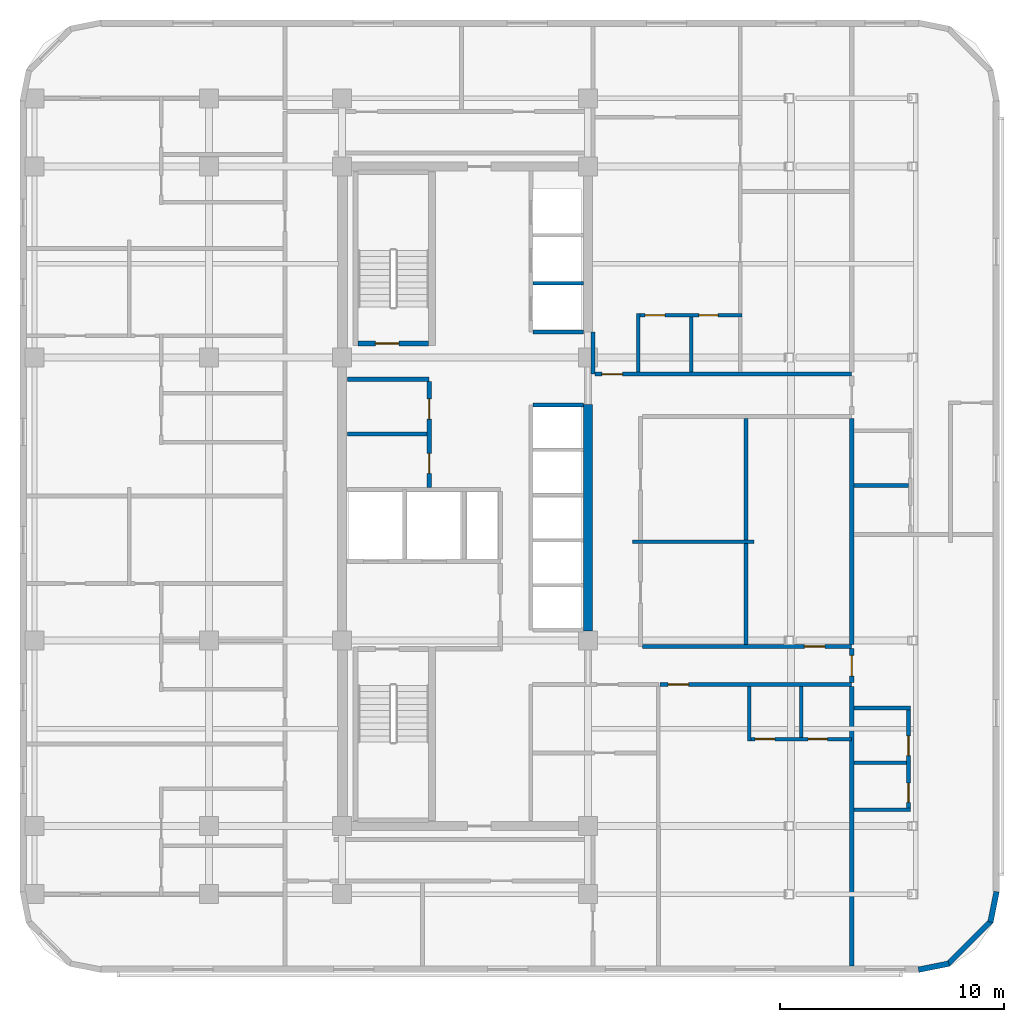
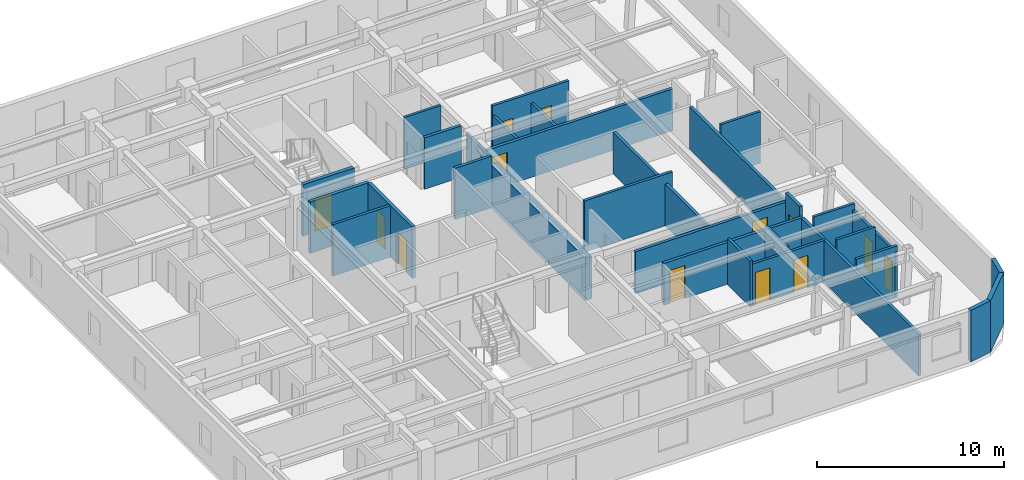
# One storey, part 5 of 11: 31 walls, 13 doors, 13 openings.
"""IFC4 building model written with IfcOpenShell, lengths in metres."""

from ifc_helpers import new_model, si_unit, direction, frame, frame_2d, origin, place, context, subcontext, project, spatial, rectangle, extrude, material, layer, layer_set, type_object, element, fill, save


model = new_model("IFC4")

# Units and contexts
model_context = context("Model", 3, precision=1e-05, world=origin(), true_north=direction((0.0, 1.0)))
body_context = subcontext(model_context, "Body", "Model", "MODEL_VIEW")
ifc_project = project(units=[si_unit("LENGTHUNIT", "METRE"), si_unit("AREAUNIT", "SQUARE_METRE"), si_unit("VOLUMEUNIT", "CUBIC_METRE"), si_unit("PLANEANGLEUNIT", "RADIAN"), si_unit("MASSUNIT", "GRAM", prefix="KILO")], contexts=[model_context])

# Site, building, storey
site_placement = place(None, origin())
site = spatial("IfcSite", under=ifc_project, at=site_placement, CompositionType="ELEMENT")
building_placement = place(site_placement, origin())
building = spatial("IfcBuilding", under=site, at=building_placement, Name="Ochreholt Gables", CompositionType="ELEMENT")
storey_placement = place(building_placement, frame((0.0, 0.0, 121.199951171875)))
storey = spatial("IfcBuildingStorey", under=building, at=storey_placement, Name="L31", CompositionType="ELEMENT", Elevation=121.199951171875)

# Walls
ifc_material_1 = material(Name="Concrete 60 MPa", Category="concrete")
ifc_layer_1 = layer(ifc_material_1, 0.39990234375, Name="Concrete 60 MPa")
ifc_layer_set_1 = layer_set([ifc_layer_1], Name="Concrete 60 MPa")
wall_type_1 = type_object("IfcWallType", Name="WALL-CSW-400", PredefinedType="SHEAR", material=ifc_layer_set_1)
wall_1_placement = place(storey_placement, frame((35.199951171875, 17.97509765625, 0.0), z_axis=(0.0, 0.0, 1.0), x_axis=(0.0, 1.0, 0.0)))
element("IfcWall", 1, at=wall_1_placement, inside=storey, type_object=wall_type_1, Name="L31 Core Central-East Shear Wall", PredefinedType="SHEAR", context=body_context, shape_type="SweptSolid", body=[
    extrude(rectangle(XDim=10.125, YDim=0.39990234375, at=frame_2d((5.0625, 0.0))), origin(), (0.0, 0.0, 1.0), 2.7490234375),
])
ifc_material_2 = material(Name="Precast concrete 40 MPa", Category="concrete")
ifc_layer_2 = layer(ifc_material_2, 0.25, Name="Precast concrete 40 MPa")
ifc_layer_set_2 = layer_set([ifc_layer_2], Name="Precast concrete 40 MPa")
wall_type_2 = type_object("IfcWallType", Name="WALL-EXT-CNR", PredefinedType="SOLIDWALL", material=ifc_layer_set_2)
wall_2_placement = place(storey_placement, frame((49.9833984375, 2.82421875, 0.0), z_axis=(0.0, 0.0, 1.0), x_axis=(0.980809899341, 0.19496651342, 0.0)))
element("IfcWall", 2, at=wall_2_placement, inside=storey, type_object=wall_type_2, Name="L31 Rounded Corner Wall SE-1", PredefinedType="SOLIDWALL", context=body_context, shape_type="SweptSolid", body=[
    extrude(rectangle(XDim=1.388671875, YDim=0.25, at=frame_2d((0.6943359375, 0.0))), origin(), (0.0, 0.0, 1.0), 3.360107421875),
])
wall_3_placement = place(storey_placement, frame((51.294921875, 3.068115234375, 0.0), z_axis=(0.0, 0.0, 1.0), x_axis=(0.707151344399, 0.707062215165, 0.0)))
element("IfcWall", 3, at=wall_3_placement, inside=storey, type_object=wall_type_2, Name="L31 Rounded Corner Wall SE-2", PredefinedType="SOLIDWALL", context=body_context, shape_type="SweptSolid", body=[
    extrude(rectangle(XDim=2.7392578125, YDim=0.25, at=frame_2d((1.36962890625, 0.0))), origin(), (0.0, 0.0, 1.0), 3.360107421875),
])
wall_4_placement = place(storey_placement, frame((53.205078125, 4.95458984375, 0.0), z_axis=(0.0, 0.0, 1.0), x_axis=(0.195000137217, 0.980803214965, 0.0)))
element("IfcWall", 4, at=wall_4_placement, inside=storey, type_object=wall_type_2, Name="L31 Rounded Corner Wall SE-3", PredefinedType="SOLIDWALL", context=body_context, shape_type="SweptSolid", body=[
    extrude(rectangle(XDim=1.388427734375, YDim=0.25, at=frame_2d((0.6943359375, 0.0))), origin(), (0.0, 0.0, 1.0), 3.360107421875),
])
ifc_material_3 = material(Name="Concrete 40 MPa", Category="concrete")
ifc_layer_3 = layer(ifc_material_3, 0.199951171875, Name="Concrete 40 MPa")
ifc_layer_set_3 = layer_set([ifc_layer_3], Name="Concrete 40 MPa")
wall_type_3 = type_object("IfcWallType", Name="WALL-INT-CF200", PredefinedType="STANDARD", material=ifc_layer_set_3)
wall_5_placement = place(storey_placement, frame((24.449951171875, 29.239990234375, 0.0), z_axis=(0.0, 0.0, 1.0), x_axis=(1.0, 0.0, 0.0)))
element("IfcWall", 5, at=wall_5_placement, inside=storey, type_object=wall_type_3, Name="L31 Interior Wall WI-SRVN-L31", PredefinedType="STANDARD", context=body_context, shape_type="SweptSolid", body=[
    extrude(rectangle(XDim=3.650146484375, YDim=0.199951171875, at=frame_2d((1.8251953125, 0.0))), origin(), (0.0, 0.0, 1.0), 3.360107421875),
])

# Wall, openings, doors
wall_6_placement = place(storey_placement, frame((28.10009765625, 24.389892578125, 0.0), z_axis=(0.0, 0.0, 1.0), x_axis=(0.0, 1.0, 0.0)))
wall_6 = element("IfcWall", 6, at=wall_6_placement, inside=storey, type_object=wall_type_3, Name="L31 Interior Wall WI-SRVE-L31", PredefinedType="STANDARD", context=body_context, shape_type="SweptSolid", body=[
    extrude(rectangle(XDim=4.75, YDim=0.199951171875, at=frame_2d((2.375, 0.0))), origin(), (0.0, 0.0, 1.0), 3.360107421875),
])
opening_1_placement = place(wall_6_placement, frame((0.6298828125, 0.0, 0.0)))
opening_1 = element("IfcOpeningElement", 7, at=opening_1_placement, cuts=wall_6, Name="Opening D-SV1", PredefinedType="OPENING", context=body_context, shape_type="SweptSolid", body=[
    extrude(rectangle(XDim=0.89990234375, YDim=2.10009765625, at=frame_2d((0.449951171875, 1.050048828125))), frame((0.0, 0.10986328125, 0.0), z_axis=(0.0, -1.0, 0.0), x_axis=(1.0, 0.0, 0.0)), (0.0, 0.0, 1.0), 0.219970703125),
])
opening_2_placement = place(wall_6_placement, frame((3.06005859375, 0.0, 0.0)))
opening_2 = element("IfcOpeningElement", 8, at=opening_2_placement, cuts=wall_6, Name="Opening D-SV1", PredefinedType="OPENING", context=body_context, shape_type="SweptSolid", body=[
    extrude(rectangle(XDim=0.89990234375, YDim=2.10009765625, at=frame_2d((0.449951171875, 1.050048828125))), frame((0.0, 0.10986328125, 0.0), z_axis=(0.0, -1.0, 0.0), x_axis=(1.0, 0.0, 0.0)), (0.0, 0.0, 1.0), 0.219970703125),
])
ifc_material_4 = material(Name="Hollow Metal Steel", Category="steel")
door_type_1 = type_object("IfcDoorType", Name="DR-INT-SRV900", OperationType="NOTDEFINED", PredefinedType="DOOR", material=ifc_material_4)
door_1_placement = place(opening_1_placement, origin())
door_1 = element("IfcDoor", 9, at=door_1_placement, inside=storey, type_object=door_type_1, Name="L31 Door D-SRV1-L31", OperationType="SINGLE_SWING_LEFT", OverallHeight=2.10009765625, OverallWidth=0.89990234375, PredefinedType="DOOR", context=body_context, shape_type="SweptSolid", body=[
    extrude(rectangle(XDim=0.89990234375, YDim=2.10009765625, at=frame_2d((0.449951171875, 1.050048828125))), frame((0.0, 0.02490234375, 0.0), z_axis=(0.0, -1.0, 0.0), x_axis=(1.0, 0.0, 0.0)), (0.0, 0.0, 1.0), 0.050048828125),
])
fill(opening_1, door_1)
door_2_placement = place(opening_2_placement, origin())
door_2 = element("IfcDoor", 10, at=door_2_placement, inside=storey, type_object=door_type_1, Name="L31 Door D-SRV2-L31", OperationType="SINGLE_SWING_RIGHT", OverallHeight=2.10009765625, OverallWidth=0.89990234375, PredefinedType="DOOR", context=body_context, shape_type="SweptSolid", body=[
    extrude(rectangle(XDim=0.89990234375, YDim=2.10009765625, at=frame_2d((0.449951171875, 1.050048828125))), frame((0.0, 0.02490234375, 0.0), z_axis=(0.0, -1.0, 0.0), x_axis=(1.0, 0.0, 0.0)), (0.0, 0.0, 1.0), 0.050048828125),
])
fill(opening_2, door_2)

# Wall, opening, door
ifc_material_5 = material(Name="Fire-Rated Gypsum Acoustic Partition", Category="gypsum")
ifc_layer_4 = layer(ifc_material_5, 0.179931640625, Name="Fire-Rated Gypsum Acoustic Partition")
ifc_layer_set_4 = layer_set([ifc_layer_4], Name="Fire-Rated Gypsum Acoustic Partition")
wall_type_4 = type_object("IfcWallType", Name="WALL-INT-CR180", PredefinedType="STANDARD", material=ifc_layer_set_4)
wall_7_placement = place(storey_placement, frame((38.4326171875, 15.580078125, 0.0), z_axis=(0.0, 0.0, 1.0), x_axis=(1.0, 0.0, 0.0)))
wall_7 = element("IfcWall", 11, at=wall_7_placement, inside=storey, type_object=wall_type_4, Name="L31 Interior Wall WI-C2SS1-L31", PredefinedType="STANDARD", context=body_context, shape_type="SweptSolid", body=[
    extrude(rectangle(XDim=8.5673828125, YDim=0.179931640625, at=frame_2d((4.28369140625, 0.0))), origin(), (0.0, 0.0, 1.0), 2.73095703125),
])
opening_3_placement = place(wall_7_placement, frame((0.357421875, 0.0, 0.0)))
opening_3 = element("IfcOpeningElement", 12, at=opening_3_placement, cuts=wall_7, Name="Opening D-UN1", PredefinedType="OPENING", context=body_context, shape_type="SweptSolid", body=[
    extrude(rectangle(XDim=0.919921875, YDim=2.14990234375, at=frame_2d((0.4599609375, 1.074951171875))), frame((0.0, 0.099853515625, 0.0), z_axis=(0.0, -1.0, 0.0), x_axis=(1.0, 0.0, 0.0)), (0.0, 0.0, 1.0), 0.199951171875),
])
ifc_material_6 = material(Name="Engineered Oak Timber", Category="wood")
door_type_2 = type_object("IfcDoorType", Name="DR-INT-UNT920", OperationType="NOTDEFINED", PredefinedType="DOOR", material=ifc_material_6)
door_3_placement = place(opening_3_placement, origin())
door_3 = element("IfcDoor", 13, at=door_3_placement, inside=storey, type_object=door_type_2, Name="L31 Door D-U-L31S1-ENT", OperationType="SINGLE_SWING_RIGHT", OverallHeight=2.14990234375, OverallWidth=0.919921875, PredefinedType="DOOR", context=body_context, shape_type="SweptSolid", body=[
    extrude(rectangle(XDim=0.919921875, YDim=2.14990234375, at=frame_2d((0.4599609375, 1.074951171875))), frame((0.0, 0.02490234375, 0.0), z_axis=(0.0, -1.0, 0.0), x_axis=(1.0, 0.0, 0.0)), (0.0, 0.0, 1.0), 0.050048828125),
])
fill(opening_3, door_3)

wall_8_placement = place(storey_placement, frame((37.639892578125, 17.280029296875, 0.0), z_axis=(0.0, 0.0, 1.0), x_axis=(1.0, 0.0, 0.0)))
wall_8 = element("IfcWall", 14, at=wall_8_placement, inside=storey, type_object=wall_type_4, Name="L31 Interior Wall WI-C2SS2-L31", PredefinedType="STANDARD", context=body_context, shape_type="SweptSolid", body=[
    extrude(rectangle(XDim=9.360107421875, YDim=0.179931640625, at=frame_2d((4.68017578125, 0.0))), origin(), (0.0, 0.0, 1.0), 2.73095703125),
])
opening_4_placement = place(wall_8_placement, frame((7.237548828125, 0.0, 0.0)))
opening_4 = element("IfcOpeningElement", 15, at=opening_4_placement, cuts=wall_8, Name="Opening D-UN1", PredefinedType="OPENING", context=body_context, shape_type="SweptSolid", body=[
    extrude(rectangle(XDim=0.919921875, YDim=2.14990234375, at=frame_2d((0.4599609375, 1.074951171875))), frame((0.0, 0.099853515625, 0.0), z_axis=(0.0, -1.0, 0.0), x_axis=(1.0, 0.0, 0.0)), (0.0, 0.0, 1.0), 0.199951171875),
])
door_4_placement = place(opening_4_placement, origin())
door_4 = element("IfcDoor", 16, at=door_4_placement, inside=storey, type_object=door_type_2, Name="L31 Door D-U-L31M2-ENT", OperationType="SINGLE_SWING_LEFT", OverallHeight=2.14990234375, OverallWidth=0.919921875, PredefinedType="DOOR", context=body_context, shape_type="SweptSolid", body=[
    extrude(rectangle(XDim=0.919921875, YDim=2.14990234375, at=frame_2d((0.4599609375, 1.074951171875))), frame((0.0, 0.02490234375, 0.0), z_axis=(0.0, -1.0, 0.0), x_axis=(1.0, 0.0, 0.0)), (0.0, 0.0, 1.0), 0.050048828125),
])
fill(opening_4, door_4)

# Wall
wall_9_placement = place(storey_placement, frame((35.419921875, 29.4599609375, 0.0), z_axis=(0.0, 0.0, 1.0), x_axis=(0.0, 1.0, 0.0)))
element("IfcWall", 17, at=wall_9_placement, inside=storey, type_object=wall_type_4, Name="L31 Interior Wall WI-C2NCL-L31", PredefinedType="STANDARD", context=body_context, shape_type="SweptSolid", body=[
    extrude(rectangle(XDim=1.89013671875, YDim=0.179931640625, at=frame_2d((0.945068359375, 0.0))), origin(), (0.0, 0.0, 1.0), 2.73095703125),
])

# Wall, opening, door
wall_10_placement = place(storey_placement, frame((35.510009765625, 29.4599609375, 0.0), z_axis=(0.0, 0.0, 1.0), x_axis=(1.0, 0.0, 0.0)))
wall_10 = element("IfcWall", 18, at=wall_10_placement, inside=storey, type_object=wall_type_4, Name="L31 Interior Wall WI-C2SN2-L31", PredefinedType="STANDARD", context=body_context, shape_type="SweptSolid", body=[
    extrude(rectangle(XDim=11.489990234375, YDim=0.179931640625, at=frame_2d((5.7451171875, 0.0))), origin(), (0.0, 0.0, 1.0), 2.73095703125),
])
opening_5_placement = place(wall_10_placement, frame((0.320068359375, 0.0, 0.0)))
opening_5 = element("IfcOpeningElement", 19, at=opening_5_placement, cuts=wall_10, Name="Opening D-UN1", PredefinedType="OPENING", context=body_context, shape_type="SweptSolid", body=[
    extrude(rectangle(XDim=0.919921875, YDim=2.14990234375, at=frame_2d((0.4599609375, 1.074951171875))), frame((0.0, 0.099853515625, 0.0), z_axis=(0.0, -1.0, 0.0), x_axis=(1.0, 0.0, 0.0)), (0.0, 0.0, 1.0), 0.199951171875),
])
door_5_placement = place(opening_5_placement, origin())
door_5 = element("IfcDoor", 20, at=door_5_placement, inside=storey, type_object=door_type_2, Name="L31 Door D-U-L31N1-ENT", OperationType="SINGLE_SWING_LEFT", OverallHeight=2.14990234375, OverallWidth=0.919921875, PredefinedType="DOOR", context=body_context, shape_type="SweptSolid", body=[
    extrude(rectangle(XDim=0.919921875, YDim=2.14990234375, at=frame_2d((0.4599609375, 1.074951171875))), frame((0.0, 0.02490234375, 0.0), z_axis=(0.0, -1.0, 0.0), x_axis=(1.0, 0.0, 0.0)), (0.0, 0.0, 1.0), 0.050048828125),
])
fill(opening_5, door_5)

wall_11_placement = place(storey_placement, frame((47.0, 15.669921875, 0.0), z_axis=(0.0, 0.0, 1.0), x_axis=(0.0, 1.0, 0.0)))
wall_11 = element("IfcWall", 21, at=wall_11_placement, inside=storey, type_object=wall_type_4, Name="L31 Interior Wall WI-C2SSE-L31", PredefinedType="STANDARD", context=body_context, shape_type="SweptSolid", body=[
    extrude(rectangle(XDim=1.52001953125, YDim=0.179931640625, at=frame_2d((0.760009765625, 0.0))), origin(), (0.0, 0.0, 1.0), 3.360107421875),
])
opening_6_placement = place(wall_11_placement, frame((0.2900390625, 0.0, 0.0)))
opening_6 = element("IfcOpeningElement", 22, at=opening_6_placement, cuts=wall_11, Name="Opening D-UN1", PredefinedType="OPENING", context=body_context, shape_type="SweptSolid", body=[
    extrude(rectangle(XDim=0.919921875, YDim=2.14990234375, at=frame_2d((0.4599609375, 1.074951171875))), frame((0.0, 0.099853515625, 0.0), z_axis=(0.0, -1.0, 0.0), x_axis=(1.0, 0.0, 0.0)), (0.0, 0.0, 1.0), 0.199951171875),
])
door_6_placement = place(opening_6_placement, origin())
door_6 = element("IfcDoor", 23, at=door_6_placement, inside=storey, type_object=door_type_2, Name="L31 Door D-U-L31FES-ENT", OperationType="SINGLE_SWING_RIGHT", OverallHeight=2.14990234375, OverallWidth=0.919921875, PredefinedType="DOOR", context=body_context, shape_type="SweptSolid", body=[
    extrude(rectangle(XDim=0.919921875, YDim=2.14990234375, at=frame_2d((0.4599609375, 1.074951171875))), frame((0.0, 0.02490234375, 0.0), z_axis=(0.0, -1.0, 0.0), x_axis=(1.0, 0.0, 0.0)), (0.0, 0.0, 1.0), 0.050048828125),
])
fill(opening_6, door_6)

# Walls
ifc_material_7 = material(Name="Double-Stud Acoustic Demising Wall", Category="gypsum")
ifc_layer_5 = layer(ifc_material_7, 0.179931640625, Name="Double-Stud Acoustic Demising Wall")
ifc_layer_set_5 = layer_set([ifc_layer_5], Name="Double-Stud Acoustic Demising Wall")
wall_type_5 = type_object("IfcWallType", Name="WALL-INT-DM180", PredefinedType="PARTITIONING", material=ifc_layer_set_5)
wall_12_placement = place(storey_placement, frame((42.27490234375, 17.3701171875, 0.0), z_axis=(0.0, 0.0, 1.0), x_axis=(0.0, 1.0, 0.0)))
element("IfcWall", 24, at=wall_12_placement, inside=storey, type_object=wall_type_5, Name="L31 Interior Wall WI-C2UDM-L31", PredefinedType="PARTITIONING", context=body_context, shape_type="SweptSolid", body=[
    extrude(rectangle(XDim=10.099853515625, YDim=0.179931640625, at=frame_2d((5.0498046875, 0.0))), origin(), (0.0, 0.0, 1.0), 2.73095703125),
])
wall_13_placement = place(storey_placement, frame((47.0, 2.97998046875, 0.0), z_axis=(0.0, 0.0, 1.0), x_axis=(0.0, 1.0, 0.0)))
element("IfcWall", 25, at=wall_13_placement, inside=storey, type_object=wall_type_5, Name="L31 Interior Wall WI-C2FEW1-L31", PredefinedType="PARTITIONING", context=body_context, shape_type="SweptSolid", body=[
    extrude(rectangle(XDim=12.510009765625, YDim=0.179931640625, at=frame_2d((6.2548828125, 0.0))), origin(), (0.0, 0.0, 1.0), 2.73095703125),
])
wall_14_placement = place(storey_placement, frame((47.0, 17.3701171875, 0.0), z_axis=(0.0, 0.0, 1.0), x_axis=(0.0, 1.0, 0.0)))
element("IfcWall", 26, at=wall_14_placement, inside=storey, type_object=wall_type_5, Name="L31 Interior Wall WI-C2FEW2-L31", PredefinedType="PARTITIONING", context=body_context, shape_type="SweptSolid", body=[
    extrude(rectangle(XDim=10.099853515625, YDim=0.179931640625, at=frame_2d((5.0498046875, 0.0))), origin(), (0.0, 0.0, 1.0), 2.73095703125),
])

# Wall, openings, doors
ifc_material_8 = material(Name="Moisture-Resistant Plumbing Chase Wall", Category="gypsum")
ifc_layer_6 = layer(ifc_material_8, 0.159912109375, Name="Moisture-Resistant Plumbing Chase Wall")
ifc_layer_set_6 = layer_set([ifc_layer_6], Name="Moisture-Resistant Plumbing Chase Wall")
wall_type_6 = type_object("IfcWallType", Name="WALL-INT-PL160", PredefinedType="PLUMBINGWALL", material=ifc_layer_set_6)
wall_15_placement = place(storey_placement, frame((42.330078125, 13.139892578125, 0.0), z_axis=(0.0, 0.0, 1.0), x_axis=(1.0, 0.0, 0.0)))
wall_15 = element("IfcWall", 27, at=wall_15_placement, inside=storey, type_object=wall_type_6, Name="L31 Interior Wall WU-L31S1-WY", PredefinedType="PLUMBINGWALL", context=body_context, shape_type="SweptSolid", body=[
    extrude(rectangle(XDim=4.669921875, YDim=0.159912109375, at=frame_2d((2.3349609375, 0.0))), origin(), (0.0, 0.0, 1.0), 2.73095703125),
])
opening_7_placement = place(wall_15_placement, frame((0.35009765625, 0.0, 0.0)))
opening_7 = element("IfcOpeningElement", 28, at=opening_7_placement, cuts=wall_15, Name="Opening D-GN2", PredefinedType="OPENING", context=body_context, shape_type="SweptSolid", body=[
    extrude(rectangle(XDim=0.8798828125, YDim=2.1201171875, at=frame_2d((0.43994140625, 1.06005859375))), frame((0.0, 0.08984375, 0.0), z_axis=(0.0, -1.0, 0.0), x_axis=(1.0, 0.0, 0.0)), (0.0, 0.0, 1.0), 0.179931640625),
])
opening_8_placement = place(wall_15_placement, frame((2.719970703125, 0.0, 0.0)))
opening_8 = element("IfcOpeningElement", 29, at=opening_8_placement, cuts=wall_15, Name="Opening D-BT1", PredefinedType="OPENING", context=body_context, shape_type="SweptSolid", body=[
    extrude(rectangle(XDim=0.860107421875, YDim=2.1201171875, at=frame_2d((0.43017578125, 1.06005859375))), frame((0.0, 0.08984375, 0.0), z_axis=(0.0, -1.0, 0.0), x_axis=(1.0, 0.0, 0.0)), (0.0, 0.0, 1.0), 0.179931640625),
])
door_type_3 = type_object("IfcDoorType", Name="DR-INT-BTH860", OperationType="NOTDEFINED", PredefinedType="DOOR", material=ifc_material_6)
door_7_placement = place(opening_8_placement, origin())
door_7 = element("IfcDoor", 30, at=door_7_placement, inside=storey, type_object=door_type_3, Name="L31 Door D-U-L31S1-BTH", OperationType="SINGLE_SWING_RIGHT", OverallHeight=2.1201171875, OverallWidth=0.860107421875, PredefinedType="DOOR", context=body_context, shape_type="SweptSolid", body=[
    extrude(rectangle(XDim=0.860107421875, YDim=2.1201171875, at=frame_2d((0.43017578125, 1.06005859375))), frame((0.0, 0.02490234375, 0.0), z_axis=(0.0, -1.0, 0.0), x_axis=(1.0, 0.0, 0.0)), (0.0, 0.0, 1.0), 0.050048828125),
])
fill(opening_8, door_7)
door_type_4 = type_object("IfcDoorType", Name="DR-INT-GEN880", OperationType="NOTDEFINED", PredefinedType="DOOR", material=ifc_material_6)
door_8_placement = place(opening_7_placement, origin())
door_8 = element("IfcDoor", 31, at=door_8_placement, inside=storey, type_object=door_type_4, Name="L31 Door D-U-L31S1-KIT", OperationType="SINGLE_SWING_LEFT", OverallHeight=2.1201171875, OverallWidth=0.8798828125, PredefinedType="DOOR", context=body_context, shape_type="SweptSolid", body=[
    extrude(rectangle(XDim=0.8798828125, YDim=2.1201171875, at=frame_2d((0.43994140625, 1.06005859375))), frame((0.0, 0.02490234375, 0.0), z_axis=(0.0, -1.0, 0.0), x_axis=(1.0, 0.0, 0.0)), (0.0, 0.0, 1.0), 0.050048828125),
])
fill(opening_7, door_8)

# Walls
wall_16_placement = place(storey_placement, frame((42.409912109375, 13.06005859375, 0.0), z_axis=(0.0, 0.0, 1.0), x_axis=(0.0, 1.0, 0.0)))
element("IfcWall", 32, at=wall_16_placement, inside=storey, type_object=wall_type_6, Name="L31 Interior Wall WU-L31S1-FY", PredefinedType="PLUMBINGWALL", context=body_context, shape_type="SweptSolid", body=[
    extrude(rectangle(XDim=2.429931640625, YDim=0.159912109375, at=frame_2d((1.21484375, 0.0))), origin(), (0.0, 0.0, 1.0), 2.988037109375),
])
wall_17_placement = place(storey_placement, frame((44.75, 13.219970703125, 0.0), z_axis=(0.0, 0.0, 1.0), x_axis=(0.0, 1.0, 0.0)))
element("IfcWall", 33, at=wall_17_placement, inside=storey, type_object=wall_type_6, Name="L31 Interior Wall WU-L31S1-WK", PredefinedType="PLUMBINGWALL", context=body_context, shape_type="SweptSolid", body=[
    extrude(rectangle(XDim=2.27001953125, YDim=0.159912109375, at=frame_2d((1.135009765625, 0.0))), origin(), (0.0, 0.0, 1.0), 2.988037109375),
])

# Wall, openings, doors
wall_18_placement = place(storey_placement, frame((37.3798828125, 32.094970703125, 0.0), z_axis=(0.0, 0.0, 1.0), x_axis=(1.0, 0.0, 0.0)))
wall_18 = element("IfcWall", 34, at=wall_18_placement, inside=storey, type_object=wall_type_6, Name="L31 Interior Wall WU-L31N1-WY", PredefinedType="PLUMBINGWALL", context=body_context, shape_type="SweptSolid", body=[
    extrude(rectangle(XDim=4.710205078125, YDim=0.159912109375, at=frame_2d((2.35498046875, 0.0))), origin(), (0.0, 0.0, 1.0), 3.360107421875),
])
opening_9_placement = place(wall_18_placement, frame((0.3798828125, 0.0, 0.0)))
opening_9 = element("IfcOpeningElement", 35, at=opening_9_placement, cuts=wall_18, Name="Opening D-GN2", PredefinedType="OPENING", context=body_context, shape_type="SweptSolid", body=[
    extrude(rectangle(XDim=0.8798828125, YDim=2.1201171875, at=frame_2d((0.43994140625, 1.06005859375))), frame((0.0, 0.08984375, 0.0), z_axis=(0.0, -1.0, 0.0), x_axis=(1.0, 0.0, 0.0)), (0.0, 0.0, 1.0), 0.179931640625),
])
opening_10_placement = place(wall_18_placement, frame((2.785888671875, 0.0, 0.0)))
opening_10 = element("IfcOpeningElement", 36, at=opening_10_placement, cuts=wall_18, Name="Opening D-BT1", PredefinedType="OPENING", context=body_context, shape_type="SweptSolid", body=[
    extrude(rectangle(XDim=0.860107421875, YDim=2.1201171875, at=frame_2d((0.43017578125, 1.06005859375))), frame((0.0, 0.08984375, 0.0), z_axis=(0.0, -1.0, 0.0), x_axis=(1.0, 0.0, 0.0)), (0.0, 0.0, 1.0), 0.179931640625),
])
door_9_placement = place(opening_10_placement, origin())
door_9 = element("IfcDoor", 37, at=door_9_placement, inside=storey, type_object=door_type_3, Name="L31 Door D-U-L31N1-BTH", OperationType="SINGLE_SWING_LEFT", OverallHeight=2.1201171875, OverallWidth=0.860107421875, PredefinedType="DOOR", context=body_context, shape_type="SweptSolid", body=[
    extrude(rectangle(XDim=0.860107421875, YDim=2.1201171875, at=frame_2d((0.43017578125, 1.06005859375))), frame((0.0, 0.02490234375, 0.0), z_axis=(0.0, -1.0, 0.0), x_axis=(1.0, 0.0, 0.0)), (0.0, 0.0, 1.0), 0.050048828125),
])
fill(opening_10, door_9)
door_10_placement = place(opening_9_placement, origin())
door_10 = element("IfcDoor", 38, at=door_10_placement, inside=storey, type_object=door_type_4, Name="L31 Door D-U-L31N1-KIT", OperationType="SINGLE_SWING_RIGHT", OverallHeight=2.1201171875, OverallWidth=0.8798828125, PredefinedType="DOOR", context=body_context, shape_type="SweptSolid", body=[
    extrude(rectangle(XDim=0.8798828125, YDim=2.1201171875, at=frame_2d((0.43994140625, 1.06005859375))), frame((0.0, 0.02490234375, 0.0), z_axis=(0.0, -1.0, 0.0), x_axis=(1.0, 0.0, 0.0)), (0.0, 0.0, 1.0), 0.050048828125),
])
fill(opening_9, door_10)

# Walls
wall_19_placement = place(storey_placement, frame((37.4599609375, 29.550048828125, 0.0), z_axis=(0.0, 0.0, 1.0), x_axis=(0.0, 1.0, 0.0)))
element("IfcWall", 39, at=wall_19_placement, inside=storey, type_object=wall_type_6, Name="L31 Interior Wall WU-L31N1-FY", PredefinedType="PLUMBINGWALL", context=body_context, shape_type="SweptSolid", body=[
    extrude(rectangle(XDim=2.625, YDim=0.159912109375, at=frame_2d((1.3125, 0.0))), origin(), (0.0, 0.0, 1.0), 2.73095703125),
])
wall_20_placement = place(storey_placement, frame((39.825927734375, 29.550048828125, 0.0), z_axis=(0.0, 0.0, 1.0), x_axis=(0.0, 1.0, 0.0)))
element("IfcWall", 40, at=wall_20_placement, inside=storey, type_object=wall_type_6, Name="L31 Interior Wall WU-L31N1-WK", PredefinedType="PLUMBINGWALL", context=body_context, shape_type="SweptSolid", body=[
    extrude(rectangle(XDim=2.46484375, YDim=0.159912109375, at=frame_2d((1.232421875, 0.0))), origin(), (0.0, 0.0, 1.0), 2.73095703125),
])
for number, where, z_axis, x_axis, name in (
    (41, (47.090087890625, 9.978759765625, 0.0), (0.0, 0.0, 1.0), (1.0, 0.0, 0.0), "L31 Interior Wall WU-L31FES-WYS"),
    (42, (47.090087890625, 14.52880859375, 0.0), (0.0, 0.0, 1.0), (1.0, 0.0, 0.0), "L31 Interior Wall WU-L31FES-WYN"),
):
    element("IfcWall", number, at=place(storey_placement, frame(where, z_axis=z_axis, x_axis=x_axis)), inside=storey, type_object=wall_type_6, Name=name, PredefinedType="PLUMBINGWALL", context=body_context, shape_type="SweptSolid", body=[
        extrude(rectangle(XDim=2.530029296875, YDim=0.159912109375, at=frame_2d((1.26513671875, 0.0))), origin(), (0.0, 0.0, 1.0), 3.360107421875),
    ])

# Wall, openings, doors
wall_21_placement = place(storey_placement, frame((49.5400390625, 9.888916015625, 0.0), z_axis=(0.0, 0.0, 1.0), x_axis=(0.0, 1.0, 0.0)))
wall_21 = element("IfcWall", 43, at=wall_21_placement, inside=storey, type_object=wall_type_6, Name="L31 Interior Wall WU-L31FES-WX", PredefinedType="PLUMBINGWALL", context=body_context, shape_type="SweptSolid", body=[
    extrude(rectangle(XDim=4.72998046875, YDim=0.159912109375, at=frame_2d((2.364990234375, 0.0))), origin(), (0.0, 0.0, 1.0), 2.988037109375),
])
opening_11_placement = place(wall_21_placement, frame((0.419921875, 0.0, 0.0)))
opening_11 = element("IfcOpeningElement", 44, at=opening_11_placement, cuts=wall_21, Name="Opening D-BT1", PredefinedType="OPENING", context=body_context, shape_type="SweptSolid", body=[
    extrude(rectangle(XDim=0.860107421875, YDim=2.1201171875, at=frame_2d((0.43017578125, 1.06005859375))), frame((0.0, 0.08984375, 0.0), z_axis=(0.0, -1.0, 0.0), x_axis=(1.0, 0.0, 0.0)), (0.0, 0.0, 1.0), 0.179931640625),
])
opening_12_placement = place(wall_21_placement, frame((2.512939453125, 0.0, 0.0)))
opening_12 = element("IfcOpeningElement", 45, at=opening_12_placement, cuts=wall_21, Name="Opening D-GN2", PredefinedType="OPENING", context=body_context, shape_type="SweptSolid", body=[
    extrude(rectangle(XDim=0.8798828125, YDim=2.1201171875, at=frame_2d((0.43994140625, 1.06005859375))), frame((0.0, 0.08984375, 0.0), z_axis=(0.0, -1.0, 0.0), x_axis=(1.0, 0.0, 0.0)), (0.0, 0.0, 1.0), 0.179931640625),
])
door_11_placement = place(opening_11_placement, origin())
door_11 = element("IfcDoor", 46, at=door_11_placement, inside=storey, type_object=door_type_3, Name="L31 Door D-U-L31FES-BTH", OperationType="SINGLE_SWING_LEFT", OverallHeight=2.1201171875, OverallWidth=0.860107421875, PredefinedType="DOOR", context=body_context, shape_type="SweptSolid", body=[
    extrude(rectangle(XDim=0.860107421875, YDim=2.1201171875, at=frame_2d((0.43017578125, 1.06005859375))), frame((0.0, 0.02490234375, 0.0), z_axis=(0.0, -1.0, 0.0), x_axis=(1.0, 0.0, 0.0)), (0.0, 0.0, 1.0), 0.050048828125),
])
fill(opening_11, door_11)
door_12_placement = place(opening_12_placement, origin())
door_12 = element("IfcDoor", 47, at=door_12_placement, inside=storey, type_object=door_type_4, Name="L31 Door D-U-L31FES-KIT", OperationType="SINGLE_SWING_RIGHT", OverallHeight=2.1201171875, OverallWidth=0.8798828125, PredefinedType="DOOR", context=body_context, shape_type="SweptSolid", body=[
    extrude(rectangle(XDim=0.8798828125, YDim=2.1201171875, at=frame_2d((0.43994140625, 1.06005859375))), frame((0.0, 0.02490234375, 0.0), z_axis=(0.0, -1.0, 0.0), x_axis=(1.0, 0.0, 0.0)), (0.0, 0.0, 1.0), 0.050048828125),
])
fill(opening_12, door_12)

# Walls
wall_22_placement = place(storey_placement, frame((47.090087890625, 12.07177734375, 0.0), z_axis=(0.0, 0.0, 1.0), x_axis=(1.0, 0.0, 0.0)))
element("IfcWall", 48, at=wall_22_placement, inside=storey, type_object=wall_type_6, Name="L31 Interior Wall WU-L31FES-WM", PredefinedType="PLUMBINGWALL", context=body_context, shape_type="SweptSolid", body=[
    extrude(rectangle(XDim=2.369873046875, YDim=0.159912109375, at=frame_2d((1.18505859375, 0.0))), origin(), (0.0, 0.0, 1.0), 3.360107421875),
])
wall_23_placement = place(storey_placement, frame((47.090087890625, 24.47900390625, 0.0), z_axis=(0.0, 0.0, 1.0), x_axis=(1.0, 0.0, 0.0)))
element("IfcWall", 49, at=wall_23_placement, inside=storey, type_object=wall_type_6, Name="L31 Interior Wall WU-L31FEN-WM", PredefinedType="PLUMBINGWALL", context=body_context, shape_type="SweptSolid", body=[
    extrude(rectangle(XDim=2.44580078125, YDim=0.159912109375, at=frame_2d((1.222900390625, 0.0))), origin(), (0.0, 0.0, 1.0), 3.360107421875),
])
ifc_material_9 = material(Name="Gypsum Acoustic Stud Partition", Category="gypsum")
ifc_layer_7 = layer(ifc_material_9, 0.1650390625, Name="Gypsum Acoustic Stud Partition")
ifc_layer_set_7 = layer_set([ifc_layer_7], Name="Gypsum Acoustic Stud Partition")
wall_type_7 = type_object("IfcWallType", Name="WALL-INT-PT165", PredefinedType="PARTITIONING", material=ifc_layer_set_7)
wall_24_placement = place(storey_placement, frame((24.449951171875, 26.780029296875, 0.0), z_axis=(0.0, 0.0, 1.0), x_axis=(1.0, 0.0, 0.0)))
element("IfcWall", 50, at=wall_24_placement, inside=storey, type_object=wall_type_7, Name="L31 Interior Wall WI-SRVP1-L31", PredefinedType="PARTITIONING", context=body_context, shape_type="SweptSolid", body=[
    extrude(rectangle(XDim=3.550048828125, YDim=0.1650390625, at=frame_2d((1.77490234375, 0.0))), origin(), (0.0, 0.0, 1.0), 3.360107421875),
])
wall_25_placement = place(storey_placement, frame((37.18994140625, 21.969970703125, 0.0), z_axis=(0.0, 0.0, 1.0), x_axis=(1.0, 0.0, 0.0)))
element("IfcWall", 51, at=wall_25_placement, inside=storey, type_object=wall_type_7, Name="L31 Interior Wall WU-L31M1-SDV", PredefinedType="PARTITIONING", context=body_context, shape_type="SweptSolid", body=[
    extrude(rectangle(XDim=5.445068359375, YDim=0.1650390625, at=frame_2d((2.72265625, 0.0))), origin(), (0.0, 0.0, 1.0), 3.360107421875),
])
ifc_material_10 = material(Name="Gypsum Shaftliner and Steel Stud", Category="steel")
ifc_layer_8 = layer(ifc_material_10, 0.14990234375, Name="Gypsum Shaftliner and Steel Stud")
ifc_layer_set_8 = layer_set([ifc_layer_8], Name="Gypsum Shaftliner and Steel Stud")
wall_type_8 = type_object("IfcWallType", Name="WALL-INT-SH150", PredefinedType="STANDARD", material=ifc_layer_set_8)
wall_26_placement = place(storey_placement, frame((32.739990234375, 33.52001953125, 0.0), z_axis=(0.0, 0.0, 1.0), x_axis=(1.0, 0.0, 0.0)))
element("IfcWall", 52, at=wall_26_placement, inside=storey, type_object=wall_type_8, Name="L31 Interior Wall WI-LFM-D1-L31", PredefinedType="STANDARD", context=body_context, shape_type="SweptSolid", body=[
    extrude(rectangle(XDim=2.260009765625, YDim=0.14990234375, at=frame_2d((1.1298828125, 0.0))), origin(), (0.0, 0.0, 1.0), 3.360107421875),
])
ifc_layer_9 = layer(ifc_material_10, 0.179931640625, Name="Gypsum Shaftliner and Steel Stud")
ifc_layer_set_9 = layer_set([ifc_layer_9], Name="Gypsum Shaftliner and Steel Stud")
wall_type_9 = type_object("IfcWallType", Name="WALL-INT-SH180", PredefinedType="STANDARD", material=ifc_layer_set_9)
for number, where, z_axis, x_axis, name in (
    (53, (32.739990234375, 28.080078125, 0.0), (0.0, 0.0, 1.0), (1.0, 0.0, 0.0), "L31 Interior Wall WI-LFHE-N-L31"),
    (54, (32.739990234375, 31.35009765625, 0.0), (0.0, 0.0, 1.0), (1.0, 0.0, 0.0), "L31 Interior Wall WI-LFM-S-L31"),
):
    element("IfcWall", number, at=place(storey_placement, frame(where, z_axis=z_axis, x_axis=x_axis)), inside=storey, type_object=wall_type_9, Name=name, PredefinedType="STANDARD", context=body_context, shape_type="SweptSolid", body=[
        extrude(rectangle(XDim=2.260009765625, YDim=0.179931640625, at=frame_2d((1.1298828125, 0.0))), origin(), (0.0, 0.0, 1.0), 3.360107421875),
    ])

# Wall, opening, door
ifc_material_11 = material(Name="Concrete 50 MPa", Category="concrete")
ifc_layer_10 = layer(ifc_material_11, 0.219970703125, Name="Concrete 50 MPa")
ifc_layer_set_10 = layer_set([ifc_layer_10], Name="Concrete 50 MPa")
wall_type_10 = type_object("IfcWallType", Name="WALL-STW-220", PredefinedType="SHEAR", material=ifc_layer_set_10)
wall_27_placement = place(storey_placement, frame((24.919921875, 30.830078125, 0.0), z_axis=(0.0, 0.0, 1.0), x_axis=(1.0, 0.0, 0.0)))
wall_27 = element("IfcWall", 55, at=wall_27_placement, inside=storey, type_object=wall_type_10, Name="L31 Exit Stair 2 South Wall", PredefinedType="SHEAR", context=body_context, shape_type="SweptSolid", body=[
    extrude(rectangle(XDim=3.16015625, YDim=0.219970703125, at=frame_2d((1.580078125, 0.0))), origin(), (0.0, 0.0, 1.0), 3.360107421875),
])
opening_13_placement = place(wall_27_placement, frame((0.780029296875, 0.0, 0.0)))
opening_13 = element("IfcOpeningElement", 56, at=opening_13_placement, cuts=wall_27, Name="Opening D-STC", PredefinedType="OPENING", context=body_context, shape_type="SweptSolid", body=[
    extrude(rectangle(XDim=1.050048828125, YDim=2.14990234375, at=frame_2d((0.52490234375, 1.074951171875))), frame((0.0, 0.119873046875, 0.0), z_axis=(0.0, -1.0, 0.0), x_axis=(1.0, 0.0, 0.0)), (0.0, 0.0, 1.0), 0.239990234375),
])
door_type_5 = type_object("IfcDoorType", Name="DR-INT-ST1050", OperationType="NOTDEFINED", PredefinedType="DOOR", material=ifc_material_4)
door_13_placement = place(opening_13_placement, origin())
door_13 = element("IfcDoor", 57, at=door_13_placement, inside=storey, type_object=door_type_5, Name="L31 Door D-ST2-L31", OperationType="SINGLE_SWING_RIGHT", OverallHeight=2.14990234375, OverallWidth=1.050048828125, PredefinedType="DOOR", context=body_context, shape_type="SweptSolid", body=[
    extrude(rectangle(XDim=1.050048828125, YDim=2.14990234375, at=frame_2d((0.52490234375, 1.074951171875))), frame((0.0, 0.02490234375, 0.0), z_axis=(0.0, -1.0, 0.0), x_axis=(1.0, 0.0, 0.0)), (0.0, 0.0, 1.0), 0.050048828125),
])
fill(opening_13, door_13)

save(model, "model.ifc")
